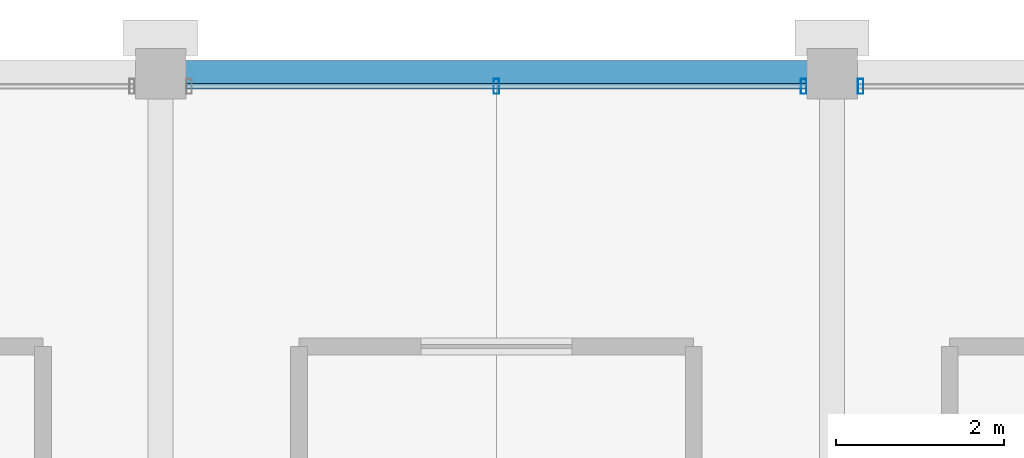
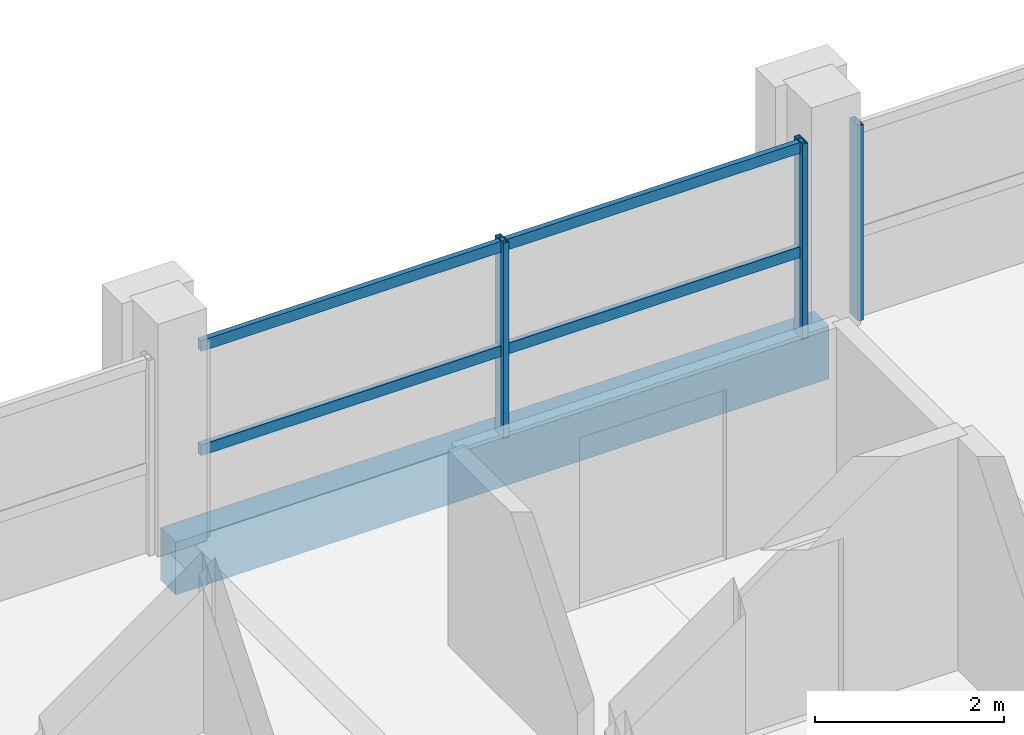
# One storey, part 17 of 24: 5 members, 1 beam, 2 elements without a shape of their own.
"""IFC4 building model written with IfcOpenShell, lengths in metres."""

from ifc_helpers import new_model, si_unit, direction, frame, origin, origin_2d, place, context, subcontext, project, spatial, rectangle, hollow_rectangle, extrude, material, material_profile, profile_set, type_object, element, aggregate, save


model = new_model("IFC4")

# Units and contexts
model_context = context("Model", 3, precision=1e-05, world=origin(), true_north=direction((0.0, 1.0)))
body_context = subcontext(model_context, "Body", "Model", "MODEL_VIEW")
ifc_project = project(units=[si_unit("LENGTHUNIT", "METRE"), si_unit("AREAUNIT", "SQUARE_METRE"), si_unit("VOLUMEUNIT", "CUBIC_METRE"), si_unit("PLANEANGLEUNIT", "RADIAN"), si_unit("MASSUNIT", "GRAM", prefix="KILO")], contexts=[model_context])

# Site, building, storey
site_placement = place(None, origin())
site = spatial("IfcSite", under=ifc_project, at=site_placement, CompositionType="ELEMENT")
building_placement = place(site_placement, origin())
building = spatial("IfcBuilding", under=site, at=building_placement, Name="Akrevak Sports Hall", CompositionType="ELEMENT")
storey_placement = place(building_placement, frame((0.0, 0.0, 63.300048828125)))
storey = spatial("IfcBuildingStorey", under=building, at=storey_placement, Name="L16", CompositionType="ELEMENT", Elevation=63.300048828125)

# Curtain wall, member
ifc_material_1 = material(Name="Anodized Bronze Aluminium & Low-E Glass", Category="aluminium")
curtain_wall_type = type_object("IfcCurtainWallType", Name="ARC-CW-TWR-72x30", PredefinedType="NOTDEFINED", material=ifc_material_1)
curtain_wall_1_placement = place(storey_placement, origin())
curtain_wall_1 = element("IfcCurtainWall", 1, at=curtain_wall_1_placement, inside=storey, type_object=curtain_wall_type, Name="Curtain Wall CW-L16-N19", PredefinedType="NOTDEFINED")
ifc_material_2 = material(Name="Anodized Bronze Aluminium", Category="aluminium")
ifc_material_profile_1 = material_profile(ifc_material_2, hollow_rectangle(XDim=0.06494140625, YDim=0.179931640625, WallThickness=0.00390625, at=origin_2d()), Name="CWM 65x180", Category="aluminium")
ifc_profile_set_1 = profile_set([ifc_material_profile_1], Name="Anodized Bronze Aluminium")
member_type_1 = type_object("IfcMemberType", Name="ARC-CWM-65x140", PredefinedType="MULLION", material=ifc_profile_set_1)
member_1_placement = place(storey_placement, frame((84.340087890625, 69.449951171875, 0.0), z_axis=(0.0, 0.0, 1.0), x_axis=(-1.0, 0.0, 0.0)))
member_1 = element("IfcMember", 2, at=member_1_placement, type_object=member_type_1, Name="Curtain Wall Mullion CW-L16-N19-M3", PredefinedType="MULLION", context=body_context, shape_type="SweptSolid", body=[
    extrude(hollow_rectangle(XDim=0.06494140625, YDim=0.179931640625, WallThickness=0.00390625, at=origin_2d()), origin(), (0.0, 0.0, 1.0), 2.530029296875),
])
aggregate(curtain_wall_1, [member_1])

# Curtain wall, members
curtain_wall_2_placement = place(storey_placement, origin())
curtain_wall_2 = element("IfcCurtainWall", 3, at=curtain_wall_2_placement, inside=storey, type_object=curtain_wall_type, Name="Curtain Wall CW-L16-N20", PredefinedType="NOTDEFINED")
member_2_placement = place(storey_placement, frame((83.659912109375, 69.449951171875, 0.0), z_axis=(0.0, 0.0, 1.0), x_axis=(-1.0, 0.0, 0.0)))
member_2 = element("IfcMember", 4, at=member_2_placement, type_object=member_type_1, Name="Curtain Wall Mullion CW-L16-N20-M1", PredefinedType="MULLION", context=body_context, shape_type="SweptSolid", body=[
    extrude(hollow_rectangle(XDim=0.06494140625, YDim=0.179931640625, WallThickness=0.00390625, at=origin_2d()), origin(), (0.0, 0.0, 1.0), 2.530029296875),
])
member_3_placement = place(storey_placement, frame((80.0, 69.449951171875, 0.0), z_axis=(0.0, 0.0, 1.0), x_axis=(-1.0, 0.0, 0.0)))
member_3 = element("IfcMember", 5, at=member_3_placement, type_object=member_type_1, Name="Curtain Wall Mullion CW-L16-N20-M2", PredefinedType="MULLION", context=body_context, shape_type="SweptSolid", body=[
    extrude(hollow_rectangle(XDim=0.06494140625, YDim=0.179931640625, WallThickness=0.00390625, at=origin_2d()), origin(), (0.0, 0.0, 1.0), 2.530029296875),
])
ifc_material_profile_2 = material_profile(ifc_material_2, hollow_rectangle(XDim=0.06494140625, YDim=0.139892578125, WallThickness=0.00390625, at=origin_2d()), Name="CWT 65x140", Category="aluminium")
ifc_profile_set_2 = profile_set([ifc_material_profile_2], Name="Anodized Bronze Aluminium")
member_type_2 = type_object("IfcMemberType", Name="ARC-CWT-65x110", PredefinedType="USERDEFINED", material=ifc_profile_set_2)
member_4_placement = place(storey_placement, frame((83.699951171875, 69.449951171875, 1.099853515625), z_axis=(-1.0, 0.0, 0.0), x_axis=(0.0, -1.0, 0.0)))
member_4 = element("IfcMember", 6, at=member_4_placement, type_object=member_type_2, Name="Curtain Wall Transom CW-L16-N20-T1", ObjectType="TRANSOM", PredefinedType="USERDEFINED", context=body_context, shape_type="SweptSolid", body=[
    extrude(hollow_rectangle(XDim=0.06494140625, YDim=0.139892578125, WallThickness=0.00390625, at=origin_2d()), origin(), (0.0, 0.0, 1.0), 7.39990234375),
])
member_5_placement = place(storey_placement, frame((83.699951171875, 69.449951171875, 2.449951171875), z_axis=(-1.0, 0.0, 0.0), x_axis=(0.0, -1.0, 0.0)))
member_5 = element("IfcMember", 7, at=member_5_placement, type_object=member_type_2, Name="Curtain Wall Transom CW-L16-N20-T2", ObjectType="TRANSOM", PredefinedType="USERDEFINED", context=body_context, shape_type="SweptSolid", body=[
    extrude(hollow_rectangle(XDim=0.06494140625, YDim=0.139892578125, WallThickness=0.00390625, at=origin_2d()), origin(), (0.0, 0.0, 1.0), 7.39990234375),
])
aggregate(curtain_wall_2, [member_2, member_3, member_4, member_5])

# Beam
ifc_material_3 = material(Name="Concrete C40/50", Category="concrete")
ifc_material_profile_3 = material_profile(ifc_material_3, rectangle(XDim=0.320068359375, YDim=0.679931640625, at=origin_2d()), Name="SPD 320x680", Category="concrete")
ifc_profile_set_3 = profile_set([ifc_material_profile_3], Name="Concrete C40/50")
beam_type = type_object("IfcBeamType", Name="STR-SPD-RC320x680", PredefinedType="SPANDREL", material=ifc_profile_set_3)
beam_placement = place(storey_placement, frame((76.0, 69.60009765625, -0.340087890625), z_axis=(1.0, 0.0, 0.0), x_axis=(0.0, 1.0, 0.0)))
element("IfcBeam", 8, at=beam_placement, inside=storey, type_object=beam_type, Name="Girder K/11-12 (L16)", PredefinedType="SPANDREL", context=body_context, shape_type="SweptSolid", body=[
    extrude(rectangle(XDim=0.320068359375, YDim=0.679931640625, at=origin_2d()), origin(), (0.0, 0.0, 1.0), 8.0),
])

save(model, "model.ifc")
